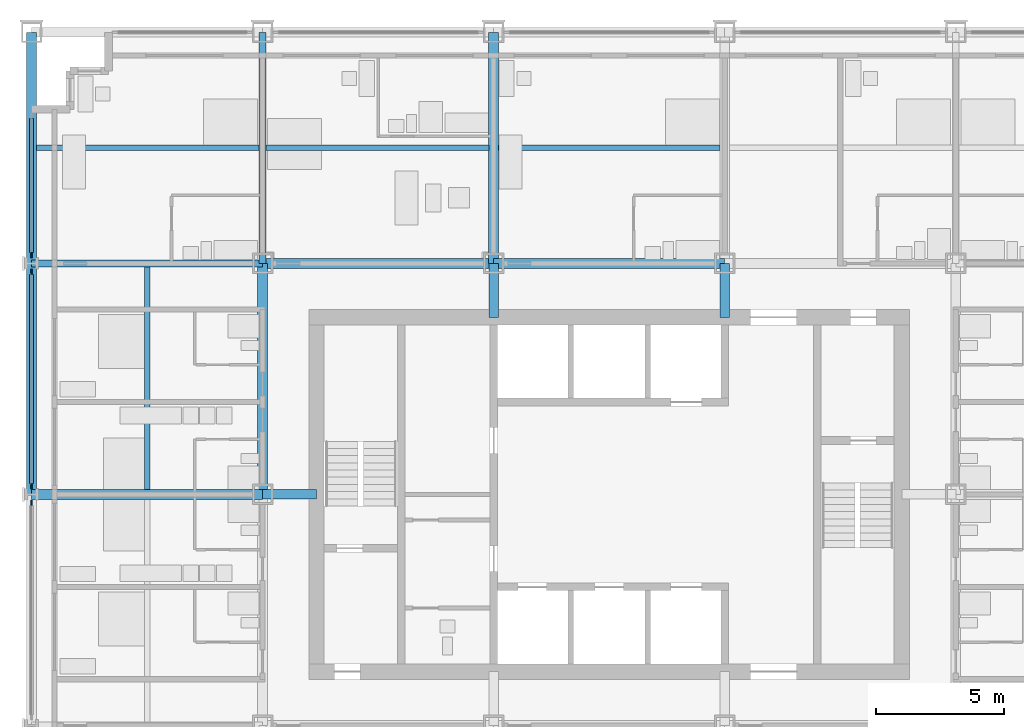
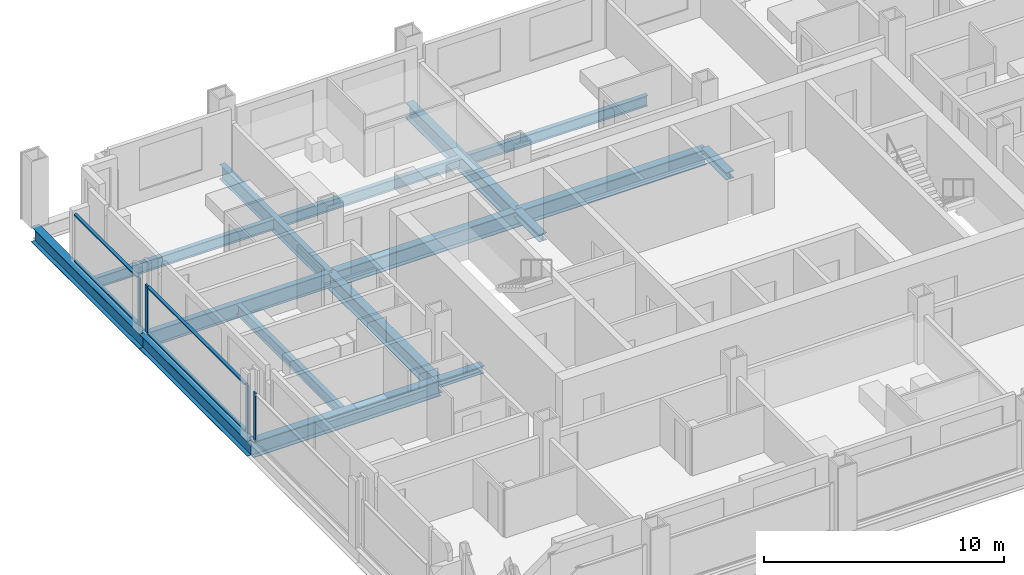
# One storey, part 4 of 16: 13 beams, 11 members, 3 elements without a shape of their own.
"""IFC4 building model written with IfcOpenShell, lengths in metres."""

from ifc_helpers import new_model, si_unit, direction, frame, origin, origin_2d, place, context, subcontext, project, spatial, rectangle, i_section, extrude, material, material_profile, profile_set, type_object, element, aggregate, save


model = new_model("IFC4")

# Units and contexts
model_context = context("Model", 3, precision=1e-05, world=origin(), true_north=direction((0.0, 1.0)))
body_context = subcontext(model_context, "Body", "Model", "MODEL_VIEW")
ifc_project = project(units=[si_unit("LENGTHUNIT", "METRE"), si_unit("AREAUNIT", "SQUARE_METRE"), si_unit("VOLUMEUNIT", "CUBIC_METRE"), si_unit("PLANEANGLEUNIT", "RADIAN"), si_unit("MASSUNIT", "GRAM", prefix="KILO")], contexts=[model_context])

# Site, building, storey
site_placement = place(None, origin())
site = spatial("IfcSite", under=ifc_project, at=site_placement, CompositionType="ELEMENT")
building_placement = place(site_placement, origin())
building = spatial("IfcBuilding", under=site, at=building_placement, Name="Loomwork Tower", CompositionType="ELEMENT")
storey_placement = place(building_placement, frame((0.0, 0.0, 114.60009765625)))
storey = spatial("IfcBuildingStorey", under=building, at=storey_placement, Name="L30", CompositionType="ELEMENT", Elevation=114.60009765625)

# Beams
ifc_material_1 = material(Name="Steel ASTM A992", Category="steel")
ifc_material_profile_1 = material_profile(ifc_material_1, i_section(OverallWidth=0.383544921875, OverallDepth=0.794921875, WebThickness=0.02099609375, FlangeThickness=0.0380859375, at=origin_2d()), Name="W30x235")
ifc_profile_set_1 = profile_set([ifc_material_profile_1], Name="Steel ASTM A992")
beam_type_1 = type_object("IfcBeamType", Name="CORE FLANK GIRDER W30x235", PredefinedType="BEAM", material=ifc_profile_set_1)
for number, where, z_axis, x_axis, name in (
    (1, (0.0, 18.0, -0.59765625), (1.0, 0.0, 0.0), (0.0, 1.0, 0.0), "Core Flank Girder F/2-F/3 L30"),
    (2, (9.0, 27.0, -0.59765625), (1.0, 0.0, 0.0), (0.0, 1.0, 0.0), "Core Flank Girder G/3-G/4 L30"),
    (3, (18.0, 27.0, -0.59765625), (1.0, 0.0, 0.0), (0.0, 1.0, 0.0), "Core Flank Girder G/4-G/5 L30"),
    (4, (9.0, 18.0, -0.59765625), (0.0, 1.0, 0.0), (-1.0, 0.0, 0.0), "Core Flank Girder F/3-G/3 L30"),
    (5, (18.0, 27.0, -0.59765625), (0.0, 1.0, 0.0), (-1.0, 0.0, 0.0), "Core Flank Girder G/4-H/4 L30"),
):
    element("IfcBeam", number, at=place(storey_placement, frame(where, z_axis=z_axis, x_axis=x_axis)), inside=storey, type_object=beam_type_1, Name=name, PredefinedType="BEAM", context=body_context, shape_type="SweptSolid", body=[
        extrude(i_section(OverallWidth=0.383544921875, OverallDepth=0.794921875, WebThickness=0.02099609375, FlangeThickness=0.0380859375, at=origin_2d()), origin(), (0.0, 0.0, 1.0), 9.0),
    ])

# Members
ifc_material_2 = material(Name="Steel ASTM A992", Category="steel")
ifc_material_profile_2 = material_profile(ifc_material_2, i_section(OverallWidth=0.373291015625, OverallDepth=0.373291015625, WebThickness=0.016357421875, FlangeThickness=0.026123046875, at=origin_2d()), Name="W14x132")
ifc_profile_set_2 = profile_set([ifc_material_profile_2], Name="Steel ASTM A992")
member_type_1 = type_object("IfcMemberType", Name="CORE LINK STRUT W14x132", PredefinedType="STRUT", material=ifc_profile_set_2)
for number, where, z_axis, x_axis, name in (
    (6, (27.0, 27.0, -0.38671875), (0.0, -1.0, 0.0), (1.0, 0.0, 0.0), "Core link strut G/5-27.000,24.900 L30"),
    (7, (18.0, 27.0, -0.38671875), (0.0, -1.0, 0.0), (1.0, 0.0, 0.0), "Core link strut G/4-18.000,24.900 L30"),
    (8, (9.0, 18.0, -0.38671875), (1.0, 0.0, 0.0), (0.0, 1.0, 0.0), "Core link strut F/3-11.100,18.000 L30"),
):
    element("IfcMember", number, at=place(storey_placement, frame(where, z_axis=z_axis, x_axis=x_axis)), inside=storey, type_object=member_type_1, Name=name, PredefinedType="STRUT", context=body_context, shape_type="SweptSolid", body=[
        extrude(i_section(OverallWidth=0.373291015625, OverallDepth=0.373291015625, WebThickness=0.016357421875, FlangeThickness=0.026123046875, at=origin_2d()), origin(), (0.0, 0.0, 1.0), 2.10009765625),
    ])

# Beams
ifc_material_3 = material(Name="Steel ASTM A992", Category="steel")
ifc_material_profile_3 = material_profile(ifc_material_3, i_section(OverallWidth=0.2666015625, OverallDepth=0.761962890625, WebThickness=0.014404296875, FlangeThickness=0.021484375, at=origin_2d()), Name="W30x116")
ifc_profile_set_3 = profile_set([ifc_material_profile_3], Name="Steel ASTM A992")
beam_type_2 = type_object("IfcBeamType", Name="FLOOR GIRDER W30x116", PredefinedType="BEAM", material=ifc_profile_set_3)
for number, where, z_axis, x_axis, name in (
    (9, (0.0, 27.0, -0.5810546875), (1.0, 0.0, 0.0), (0.0, 1.0, 0.0), "Floor Girder G/2-G/3 L30"),
    (10, (9.0, 27.0, -0.5810546875), (0.0, 1.0, 0.0), (-1.0, 0.0, 0.0), "Floor Girder G/3-H/3 L30"),
):
    element("IfcBeam", number, at=place(storey_placement, frame(where, z_axis=z_axis, x_axis=x_axis)), inside=storey, type_object=beam_type_2, Name=name, PredefinedType="BEAM", context=body_context, shape_type="SweptSolid", body=[
        extrude(i_section(OverallWidth=0.2666015625, OverallDepth=0.761962890625, WebThickness=0.014404296875, FlangeThickness=0.021484375, at=origin_2d()), origin(), (0.0, 0.0, 1.0), 9.0),
    ])
ifc_material_4 = material(Name="Steel ASTM A992", Category="steel")
ifc_material_profile_4 = material_profile(ifc_material_4, i_section(OverallWidth=0.2109375, OverallDepth=0.53857421875, WebThickness=0.011474609375, FlangeThickness=0.018798828125, at=origin_2d()), Name="W21x73")
ifc_profile_set_4 = profile_set([ifc_material_profile_4], Name="Steel ASTM A992")
beam_type_3 = type_object("IfcBeamType", Name="FLOOR JOIST W21x73", PredefinedType="JOIST", material=ifc_profile_set_4)
beam_1_placement = place(storey_placement, frame((4.5, 18.19091796875, -0.46923828125), z_axis=(0.0, 1.0, 0.0), x_axis=(-1.0, 0.0, 0.0)))
element("IfcBeam", 11, at=beam_1_placement, inside=storey, type_object=beam_type_3, Name="Floor Joist 4.500,18.000-4.500,27.000 L30", PredefinedType="JOIST", context=body_context, shape_type="SweptSolid", body=[
    extrude(i_section(OverallWidth=0.2109375, OverallDepth=0.53857421875, WebThickness=0.011474609375, FlangeThickness=0.018798828125, at=origin_2d()), origin(), (0.0, 0.0, 1.0), 8.676025390625),
])
beam_2_placement = place(storey_placement, frame((0.18994140625, 31.5, -0.46923828125), z_axis=(1.0, 0.0, 0.0), x_axis=(0.0, 1.0, 0.0)))
element("IfcBeam", 12, at=beam_2_placement, inside=storey, type_object=beam_type_3, Name="Floor Joist 0.000,31.500-9.000,31.500 L30", PredefinedType="JOIST", context=body_context, shape_type="SweptSolid", body=[
    extrude(i_section(OverallWidth=0.2109375, OverallDepth=0.53857421875, WebThickness=0.011474609375, FlangeThickness=0.018798828125, at=origin_2d()), origin(), (0.0, 0.0, 1.0), 8.677001953125),
])
beam_3_placement = place(storey_placement, frame((9.133056640625, 31.5, -0.46923828125), z_axis=(1.0, 0.0, 0.0), x_axis=(0.0, 1.0, 0.0)))
element("IfcBeam", 13, at=beam_3_placement, inside=storey, type_object=beam_type_3, Name="Floor Joist 9.000,31.500-18.000,31.500 L30", PredefinedType="JOIST", context=body_context, shape_type="SweptSolid", body=[
    extrude(i_section(OverallWidth=0.2109375, OverallDepth=0.53857421875, WebThickness=0.011474609375, FlangeThickness=0.018798828125, at=origin_2d()), origin(), (0.0, 0.0, 1.0), 8.676025390625),
])
beam_4_placement = place(storey_placement, frame((18.19091796875, 31.5, -0.46923828125), z_axis=(1.0, 0.0, 0.0), x_axis=(0.0, 1.0, 0.0)))
element("IfcBeam", 14, at=beam_4_placement, inside=storey, type_object=beam_type_3, Name="Floor Joist 18.000,31.500-27.000,31.500 L30", PredefinedType="JOIST", context=body_context, shape_type="SweptSolid", body=[
    extrude(i_section(OverallWidth=0.2109375, OverallDepth=0.53857421875, WebThickness=0.011474609375, FlangeThickness=0.018798828125, at=origin_2d()), origin(), (0.0, 0.0, 1.0), 8.6181640625),
])

# Curtain wall, member
ifc_material_5 = material(Name="Aluminium curtain wall frame", Category="aluminium")
curtain_wall_type = type_object("IfcCurtainWallType", Name="Outer skin glazing hotel", PredefinedType="NOTDEFINED", material=ifc_material_5)
curtain_wall_1_placement = place(storey_placement, origin())
curtain_wall_1 = element("IfcCurtainWall", 15, at=curtain_wall_1_placement, inside=storey, type_object=curtain_wall_type, Name="Outer skin glazing hotel cw/W-9", PredefinedType="NOTDEFINED")
ifc_material_6 = material(Name="Aluminium curtain wall frame", Category="aluminium")
ifc_material_profile_5 = material_profile(ifc_material_6, rectangle(XDim=0.06494140625, YDim=0.199951171875, at=origin_2d()), Name="AL 65x200")
ifc_profile_set_5 = profile_set([ifc_material_profile_5], Name="Aluminium curtain wall frame")
member_type_2 = type_object("IfcMemberType", Name="Outer skin glazing hotel mullion", PredefinedType="MULLION", material=ifc_profile_set_5)
member_1_placement = place(storey_placement, frame((0.0, 17.67529296875, 0.0), z_axis=(0.0, 0.0, 1.0), x_axis=(1.0, 0.0, 0.0)))
member_1 = element("IfcMember", 16, at=member_1_placement, type_object=member_type_2, Name="CW1 mullion 1", PredefinedType="MULLION", context=body_context, shape_type="SweptSolid", body=[
    extrude(rectangle(XDim=0.06494140625, YDim=0.199951171875, at=origin_2d()), origin(), (0.0, 0.0, 1.0), 2.420166015625),
])
aggregate(curtain_wall_1, [member_1])

# Curtain wall, members
curtain_wall_2_placement = place(storey_placement, origin())
curtain_wall_2 = element("IfcCurtainWall", 17, at=curtain_wall_2_placement, inside=storey, type_object=curtain_wall_type, Name="Outer skin glazing hotel cw/W-18", PredefinedType="NOTDEFINED")
member_2_placement = place(storey_placement, frame((0.0, 26.67529296875, 0.0), z_axis=(0.0, 0.0, 1.0), x_axis=(1.0, 0.0, 0.0)))
member_2 = element("IfcMember", 18, at=member_2_placement, type_object=member_type_2, Name="CW1 mullion 1", PredefinedType="MULLION", context=body_context, shape_type="SweptSolid", body=[
    extrude(rectangle(XDim=0.06494140625, YDim=0.199951171875, at=origin_2d()), origin(), (0.0, 0.0, 1.0), 2.420166015625),
])
member_3_placement = place(storey_placement, frame((0.0, 18.32470703125, 0.0), z_axis=(0.0, 0.0, 1.0), x_axis=(1.0, 0.0, 0.0)))
member_3 = element("IfcMember", 19, at=member_3_placement, type_object=member_type_2, Name="CW1 mullion 2", PredefinedType="MULLION", context=body_context, shape_type="SweptSolid", body=[
    extrude(rectangle(XDim=0.06494140625, YDim=0.199951171875, at=origin_2d()), origin(), (0.0, 0.0, 1.0), 2.420166015625),
])

# Curtain wall, member
curtain_wall_3_placement = place(storey_placement, origin())
curtain_wall_3 = element("IfcCurtainWall", 20, at=curtain_wall_3_placement, inside=storey, type_object=curtain_wall_type, Name="Outer skin glazing hotel cw/W-27", PredefinedType="NOTDEFINED")
member_4_placement = place(storey_placement, frame((0.0, 27.32470703125, 0.0), z_axis=(0.0, 0.0, 1.0), x_axis=(1.0, 0.0, 0.0)))
member_4 = element("IfcMember", 21, at=member_4_placement, type_object=member_type_2, Name="CW1 mullion 2", PredefinedType="MULLION", context=body_context, shape_type="SweptSolid", body=[
    extrude(rectangle(XDim=0.06494140625, YDim=0.199951171875, at=origin_2d()), origin(), (0.0, 0.0, 1.0), 2.420166015625),
])

# Member
ifc_material_7 = material(Name="Aluminium curtain wall frame", Category="aluminium")
ifc_material_profile_6 = material_profile(ifc_material_7, rectangle(XDim=0.14990234375, YDim=0.06494140625, at=origin_2d()), Name="AL 65x150")
ifc_profile_set_6 = profile_set([ifc_material_profile_6], Name="Aluminium curtain wall frame")
member_type_3 = type_object("IfcMemberType", Name="Outer skin glazing hotel transom", PredefinedType="USERDEFINED", material=ifc_profile_set_6)
member_5_placement = place(storey_placement, frame((0.0, 26.5751953125, 0.032470703125), z_axis=(0.0, -1.0, 0.0), x_axis=(1.0, 0.0, 0.0)))
member_5 = element("IfcMember", 22, at=member_5_placement, type_object=member_type_3, Name="CW1 transom 1.1", ObjectType="TRANSOM", PredefinedType="USERDEFINED", context=body_context, shape_type="SweptSolid", body=[
    extrude(rectangle(XDim=0.14990234375, YDim=0.06494140625, at=origin_2d()), origin(), (0.0, 0.0, 1.0), 8.150390625),
])

member_6_placement = place(storey_placement, frame((0.0, 26.5751953125, 2.3876953125), z_axis=(0.0, -1.0, 0.0), x_axis=(1.0, 0.0, 0.0)))
member_6 = element("IfcMember", 23, at=member_6_placement, type_object=member_type_3, Name="CW1 transom 1.2", ObjectType="TRANSOM", PredefinedType="USERDEFINED", context=body_context, shape_type="SweptSolid", body=[
    extrude(rectangle(XDim=0.14990234375, YDim=0.06494140625, at=origin_2d()), origin(), (0.0, 0.0, 1.0), 8.150390625),
])

aggregate(curtain_wall_2, [member_2, member_3, member_5, member_6])

member_7_placement = place(storey_placement, frame((0.0, 32.64990234375, 0.032470703125), z_axis=(0.0, -1.0, 0.0), x_axis=(1.0, 0.0, 0.0)))
member_7 = element("IfcMember", 24, at=member_7_placement, type_object=member_type_3, Name="CW1 transom 1.1", ObjectType="TRANSOM", PredefinedType="USERDEFINED", context=body_context, shape_type="SweptSolid", body=[
    extrude(rectangle(XDim=0.14990234375, YDim=0.06494140625, at=origin_2d()), origin(), (0.0, 0.0, 1.0), 5.22509765625),
])

member_8_placement = place(storey_placement, frame((0.0, 32.64990234375, 2.3876953125), z_axis=(0.0, -1.0, 0.0), x_axis=(1.0, 0.0, 0.0)))
member_8 = element("IfcMember", 25, at=member_8_placement, type_object=member_type_3, Name="CW1 transom 1.2", ObjectType="TRANSOM", PredefinedType="USERDEFINED", context=body_context, shape_type="SweptSolid", body=[
    extrude(rectangle(XDim=0.14990234375, YDim=0.06494140625, at=origin_2d()), origin(), (0.0, 0.0, 1.0), 5.22509765625),
])

aggregate(curtain_wall_3, [member_4, member_7, member_8])

# Beams
ifc_material_8 = material(Name="Steel ASTM A992", Category="steel")
ifc_material_profile_7 = material_profile(ifc_material_8, i_section(OverallWidth=0.381103515625, OverallDepth=0.77978515625, WebThickness=0.01806640625, FlangeThickness=0.0302734375, at=origin_2d()), Name="W30x191")
ifc_profile_set_7 = profile_set([ifc_material_profile_7], Name="Steel ASTM A992")
beam_type_4 = type_object("IfcBeamType", Name="SPANDREL GIRDER W30x191", PredefinedType="SPANDREL", material=ifc_profile_set_7)
for number, where, z_axis, x_axis, name in (
    (26, (0.0, 18.0, -0.590087890625), (0.0, 1.0, 0.0), (-1.0, 0.0, 0.0), "Spandrel Girder F/2-G/2 L30"),
    (27, (0.0, 27.0, -0.590087890625), (0.0, 1.0, 0.0), (-1.0, 0.0, 0.0), "Spandrel Girder G/2-H/2 L30"),
):
    element("IfcBeam", number, at=place(storey_placement, frame(where, z_axis=z_axis, x_axis=x_axis)), inside=storey, type_object=beam_type_4, Name=name, PredefinedType="SPANDREL", context=body_context, shape_type="SweptSolid", body=[
        extrude(i_section(OverallWidth=0.381103515625, OverallDepth=0.77978515625, WebThickness=0.01806640625, FlangeThickness=0.0302734375, at=origin_2d()), origin(), (0.0, 0.0, 1.0), 9.0),
    ])

save(model, "model.ifc")
